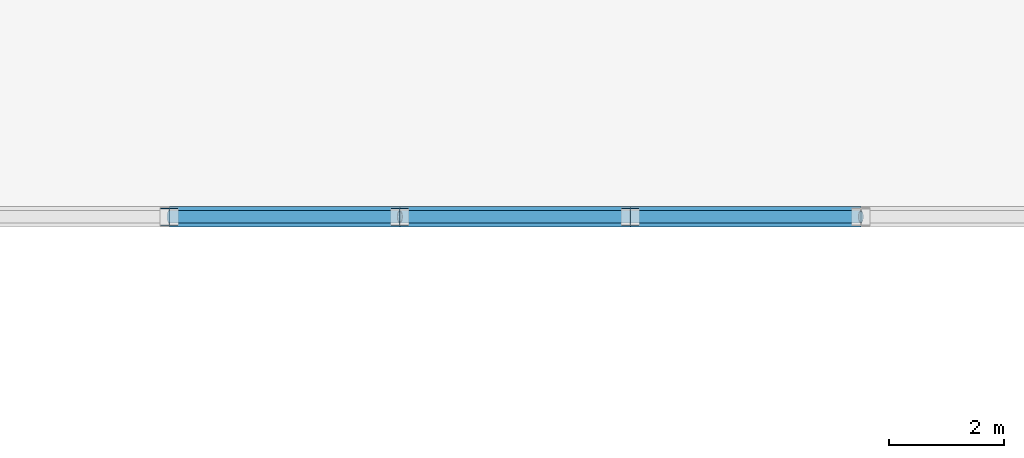
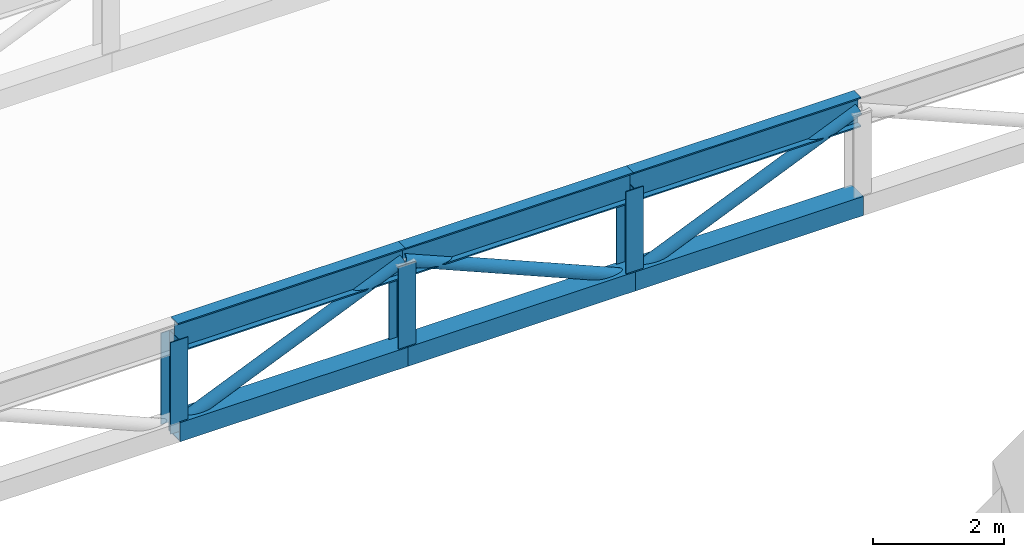
# One storey, part 70 of 159: 12 members.
"""IFC4 building model written with IfcOpenShell, lengths in metres."""

from ifc_helpers import new_model, si_unit, direction, frame, origin, origin_2d, place, context, subcontext, project, spatial, hollow_rectangle, hollow_circle, i_section, extrude, material, material_profile, profile_set, type_object, element, save


model = new_model("IFC4")

# Units and contexts
model_context = context("Model", 3, precision=1e-05, world=origin(), true_north=direction((0.0, 1.0)))
body_context = subcontext(model_context, "Body", "Model", "MODEL_VIEW")
ifc_project = project(units=[si_unit("LENGTHUNIT", "METRE"), si_unit("AREAUNIT", "SQUARE_METRE"), si_unit("VOLUMEUNIT", "CUBIC_METRE"), si_unit("PLANEANGLEUNIT", "RADIAN"), si_unit("MASSUNIT", "GRAM", prefix="KILO")], contexts=[model_context])

# Site, building, storey
site_placement = place(None, origin())
site = spatial("IfcSite", under=ifc_project, at=site_placement, CompositionType="ELEMENT")
building_placement = place(site_placement, origin())
building = spatial("IfcBuilding", under=site, at=building_placement, Name="Cazmaro Siding Exhibition Halls", CompositionType="ELEMENT")
storey_placement = place(building_placement, frame((0.0, 0.0, 6.0)))
storey = spatial("IfcBuildingStorey", under=building, at=storey_placement, Name="L01", CompositionType="ELEMENT", Elevation=6.0)

# Members
ifc_material_1 = material(Name="Steel ASTM A992 Grade 50", Category="steel")
ifc_material_profile_1 = material_profile(ifc_material_1, i_section(OverallWidth=0.214111328125, OverallDepth=0.549072265625, WebThickness=0.014892578125, FlangeThickness=0.02392578125, at=origin_2d()), Name="W21X93")
ifc_profile_set_1 = profile_set([ifc_material_profile_1], Name="Steel ASTM A992 Grade 50")
member_type_1 = type_object("IfcMemberType", Name="TC-04", PredefinedType="CHORD", material=ifc_profile_set_1)
for number, where, z_axis, x_axis, name in (
    (1, (180.0, 64.0, 4.64990234375), (1.0, 0.0, 0.0), (0.0, 1.0, 0.0), "Sawtooth truss top chord TC-04 MEM-2974"),
    (2, (184.0, 64.0, 4.64990234375), (1.0, 0.0, 0.0), (0.0, 1.0, 0.0), "Sawtooth truss top chord TC-04 MEM-2977"),
    (3, (188.0, 64.0, 4.64990234375), (1.0, 0.0, 0.0), (0.0, 1.0, 0.0), "Sawtooth truss top chord TC-04 MEM-2980"),
):
    element("IfcMember", number, at=place(storey_placement, frame(where, z_axis=z_axis, x_axis=x_axis)), inside=storey, type_object=member_type_1, Name=name, PredefinedType="CHORD", context=body_context, shape_type="SweptSolid", body=[
        extrude(i_section(OverallWidth=0.214111328125, OverallDepth=0.549072265625, WebThickness=0.014892578125, FlangeThickness=0.02392578125, at=origin_2d()), origin(), (0.0, 0.0, 1.0), 4.0),
    ])
ifc_material_2 = material(Name="Steel ASTM A500 Grade C", Category="steel")
ifc_material_profile_2 = material_profile(ifc_material_2, hollow_rectangle(XDim=0.35595703125, YDim=0.35595703125, WallThickness=0.014892578125, at=origin_2d()), Name="HSS14X14X5/8")
ifc_profile_set_2 = profile_set([ifc_material_profile_2], Name="Steel ASTM A500 Grade C")
member_type_2 = type_object("IfcMemberType", Name="TC-05", PredefinedType="CHORD", material=ifc_profile_set_2)
for number, where, z_axis, x_axis, name in (
    (4, (180.0, 64.0, 2.949951171875), (1.0, 0.0, 0.0), (0.0, 1.0, 0.0), "Sawtooth truss bottom chord TC-05 MEM-2975"),
    (5, (184.0, 64.0, 2.949951171875), (1.0, 0.0, 0.0), (0.0, 1.0, 0.0), "Sawtooth truss bottom chord TC-05 MEM-2978"),
    (6, (188.0, 64.0, 2.949951171875), (1.0, 0.0, 0.0), (0.0, 1.0, 0.0), "Sawtooth truss bottom chord TC-05 MEM-2981"),
):
    element("IfcMember", number, at=place(storey_placement, frame(where, z_axis=z_axis, x_axis=x_axis)), inside=storey, type_object=member_type_2, Name=name, PredefinedType="CHORD", context=body_context, shape_type="SweptSolid", body=[
        extrude(hollow_rectangle(XDim=0.35595703125, YDim=0.35595703125, WallThickness=0.014892578125, at=origin_2d()), origin(), (0.0, 0.0, 1.0), 4.0),
    ])
ifc_material_3 = material(Name="Steel ASTM A992 Grade 50", Category="steel")
ifc_material_profile_3 = material_profile(ifc_material_3, i_section(OverallWidth=0.304931640625, OverallDepth=0.306884765625, WebThickness=0.010009765625, FlangeThickness=0.014892578125, at=origin_2d()), Name="W12X65")
ifc_profile_set_3 = profile_set([ifc_material_profile_3], Name="Steel ASTM A992 Grade 50")
member_type_3 = type_object("IfcMemberType", Name="TP-03", PredefinedType="POST", material=ifc_profile_set_3)
for number, where, z_axis, x_axis, name in (
    (7, (180.0, 64.0, 2.949951171875), (0.0, 0.0, 1.0), (1.0, 0.0, 0.0), "Sawtooth truss post TP-03 MEM-3001"),
    (8, (184.0, 64.0, 2.949951171875), (0.0, 0.0, 1.0), (1.0, 0.0, 0.0), "Sawtooth truss post TP-03 MEM-3002"),
    (9, (188.0, 64.0, 2.949951171875), (0.0, 0.0, 1.0), (1.0, 0.0, 0.0), "Sawtooth truss post TP-03 MEM-3003"),
):
    element("IfcMember", number, at=place(storey_placement, frame(where, z_axis=z_axis, x_axis=x_axis)), inside=storey, type_object=member_type_3, Name=name, PredefinedType="POST", context=body_context, shape_type="SweptSolid", body=[
        extrude(i_section(OverallWidth=0.304931640625, OverallDepth=0.306884765625, WebThickness=0.010009765625, FlangeThickness=0.014892578125, at=origin_2d()), origin(), (0.0, 0.0, 1.0), 1.699951171875),
    ])
ifc_material_4 = material(Name="Steel ASTM A500 Grade C", Category="steel")
ifc_material_profile_4 = material_profile(ifc_material_4, hollow_circle(Radius=0.109619140625, WallThickness=0.012939453125, at=origin_2d()), Name="PIPE8XS")
ifc_profile_set_4 = profile_set([ifc_material_profile_4], Name="Steel ASTM A500 Grade C")
member_type_4 = type_object("IfcMemberType", Name="WB-01", PredefinedType="BRACE", material=ifc_profile_set_4)
for number, where, z_axis, x_axis, name in (
    (10, (180.0, 64.0, 2.949951171875), (0.920334962612, 0.0, 0.391131124553), (0.0, 1.0, 0.0), "Sawtooth truss diagonal WB-01 MEM-2976"),
    (11, (184.0, 64.0, 4.64990234375), (0.920334962612, 0.0, -0.391131124553), (0.0, 1.0, 0.0), "Sawtooth truss diagonal WB-01 MEM-2979"),
    (12, (188.0, 64.0, 2.949951171875), (0.920334962612, 0.0, 0.391131124553), (0.0, 1.0, 0.0), "Sawtooth truss diagonal WB-01 MEM-2982"),
):
    element("IfcMember", number, at=place(storey_placement, frame(where, z_axis=z_axis, x_axis=x_axis)), inside=storey, type_object=member_type_4, Name=name, PredefinedType="BRACE", context=body_context, shape_type="SweptSolid", body=[
        extrude(hollow_circle(Radius=0.109619140625, WallThickness=0.012939453125, at=origin_2d()), origin(), (0.0, 0.0, 1.0), 4.34619140625),
    ])

save(model, "model.ifc")
